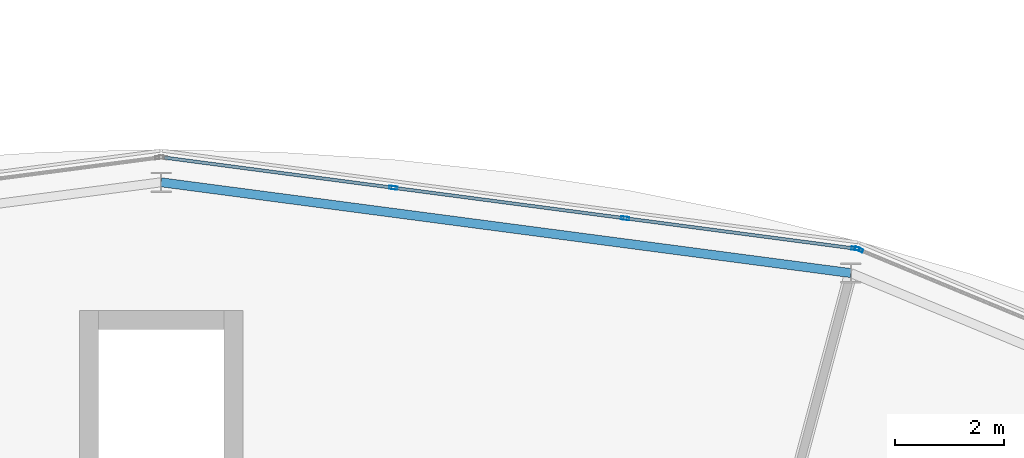
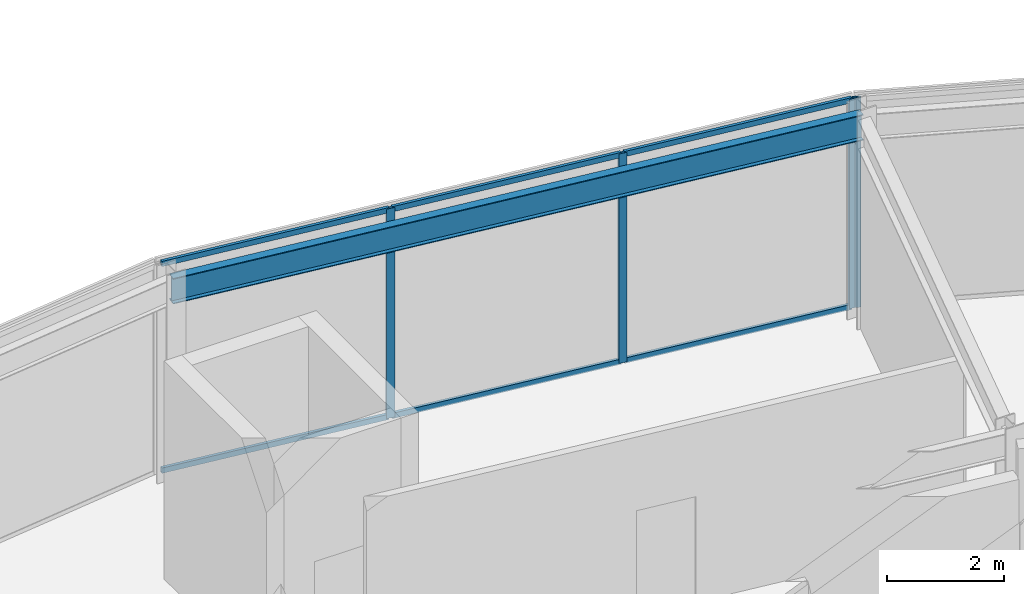
# One storey, part 89 of 157: 10 members, 1 beam, 2 elements without a shape of their own.
"""IFC4 building model written with IfcOpenShell, lengths in metres."""

import ifcopenshell
import ifcopenshell.guid

model = None  # the IFC model being written
_history = None  # IfcOwnerHistory: only IFC2X3 demands one
_inside = {}  # id of a spatial element -> (the spatial element, [elements in it])
_under = {}  # id of a project, library or spatial element -> (it, [spatial elements below it])
_declared = {}  # id of a project -> (the project, [libraries it declares])
_typed = {}  # id of a type object -> (the type object, [elements of that type])
_made_of = {}  # id of a material, layer set ... -> (it, [elements and type objects made of it])


def new_model(schema):
    """Start an empty IFC model of exactly this schema.

    Asked for "IFC4X3", IfcOpenShell would pick the latest addendum, in which some entities
    have other attributes; the version numbers below select the first issue.
    IFC2X3 requires an IfcOwnerHistory on every rooted entity: one is made here for all.
    """
    global model, _history
    if schema == "IFC4X3":
        model = ifcopenshell.file(schema_version=(4, 3, 0, 0))
    else:
        model = ifcopenshell.file(schema=schema)
    _inside.clear()
    _under.clear()
    _declared.clear()
    _typed.clear()
    _made_of.clear()
    _history = None
    if model.schema == "IFC2X3":
        org = make("IfcOrganization", Name="unknown")
        user = make(
            "IfcPersonAndOrganization",
            ThePerson=make("IfcPerson", FamilyName="unknown"),
            TheOrganization=org,
        )
        app = make(
            "IfcApplication",
            ApplicationDeveloper=org,
            Version="unknown",
            ApplicationFullName="unknown",
            ApplicationIdentifier="unknown",
        )
        _history = make(
            "IfcOwnerHistory",
            OwningUser=user,
            OwningApplication=app,
            ChangeAction="ADDED",
            CreationDate=0,
        )
    return model


def make(cls, **values):
    """One entity of the class cls with the attributes given. An attribute that is None is left unset."""
    return model.create_entity(
        cls, **{name: value for name, value in values.items() if value is not None}
    )


def rooted(cls, **values):
    """An entity with a GlobalId (a new one), such as an element, a storey or a relation."""
    return make(cls, GlobalId=ifcopenshell.guid.new(), OwnerHistory=_history, **values)


def si_unit(unit_type, name, prefix=None):
    """IfcSIUnit, for example si_unit("LENGTHUNIT", "METRE", prefix="MILLI")."""
    return make("IfcSIUnit", UnitType=unit_type, Prefix=prefix, Name=name)


def assignment(units):
    """IfcUnitAssignment: the units of a project."""
    return None if units is None else make("IfcUnitAssignment", Units=units)


def point(xyz):
    """IfcCartesianPoint."""
    return None if xyz is None else make("IfcCartesianPoint", Coordinates=xyz)


def direction(xyz):
    """IfcDirection."""
    return None if xyz is None else make("IfcDirection", DirectionRatios=xyz)


def frame(location, z_axis=None, x_axis=None):
    """IfcAxis2Placement3D, a coordinate frame: its origin and axes. An axis left out is left unset."""
    return make(
        "IfcAxis2Placement3D",
        Location=point(location),
        Axis=direction(z_axis),
        RefDirection=direction(x_axis),
    )


def frame_2d(location, x_axis=None):
    """IfcAxis2Placement2D, a coordinate frame in the plane: its origin and x axis."""
    return make(
        "IfcAxis2Placement2D", Location=point(location), RefDirection=direction(x_axis)
    )


def origin():
    """The frame at (0, 0, 0) with its axes left unset."""
    return frame((0.0, 0.0, 0.0))


def origin_2d():
    """The frame at (0, 0) in the plane with its x axis left unset."""
    return frame_2d((0.0, 0.0))


def place(relative_to, where):
    """IfcLocalPlacement: puts the frame where relative to a parent placement (None: the world)."""
    return make(
        "IfcLocalPlacement", PlacementRelTo=relative_to, RelativePlacement=where
    )


def context(
    kind, dimensions, precision=None, world=None, true_north=None, identifier=None
):
    """IfcGeometricRepresentationContext, for example the 3D "Model" context."""
    return make(
        "IfcGeometricRepresentationContext",
        ContextIdentifier=identifier,
        ContextType=kind,
        CoordinateSpaceDimension=dimensions,
        Precision=precision,
        WorldCoordinateSystem=world,
        TrueNorth=true_north,
    )


def subcontext(parent, identifier, kind, view, scale=None):
    """IfcGeometricRepresentationSubContext, for example "Body" below "Model"."""
    return make(
        "IfcGeometricRepresentationSubContext",
        ContextIdentifier=identifier,
        ContextType=kind,
        ParentContext=parent,
        TargetScale=scale,
        TargetView=view,
    )


def project(units=None, contexts=None):
    """IfcProject with its units and contexts."""
    return rooted(
        "IfcProject",
        Name="project",
        RepresentationContexts=contexts,
        UnitsInContext=assignment(units),
    )


def spatial(cls, under=None, at=None, **own):
    """A site, building, storey or space (cls), placed at a placement, below another one or the project."""
    s = rooted(cls, ObjectPlacement=at, **own)
    if under is not None:
        _under.setdefault(under.id(), (under, []))[1].append(s)
    return s


def profile(cls, at=None, kind="AREA", **sizes):
    """A parametric profile (cls). Its sizes go by their IFC names, for example OverallWidth=200.0."""
    return make(cls, ProfileType=kind, Position=at, **sizes)


def hollow_rectangle(**sizes):
    """IfcRectangleHollowProfileDef."""
    return profile("IfcRectangleHollowProfileDef", **sizes)


def i_section(**sizes):
    """IfcIShapeProfileDef."""
    return profile("IfcIShapeProfileDef", **sizes)


def extrude(swept, where, along, depth):
    """IfcExtrudedAreaSolid: the profile swept, set in the frame where, extruded along a direction by depth."""
    return make(
        "IfcExtrudedAreaSolid",
        SweptArea=swept,
        Position=where,
        ExtrudedDirection=direction(along),
        Depth=depth,
    )


def shape(context_of_items, identifier, shape_type, items):
    """IfcShapeRepresentation: the items that make up one representation, for example the "Body"."""
    return make(
        "IfcShapeRepresentation",
        ContextOfItems=context_of_items,
        RepresentationIdentifier=identifier,
        RepresentationType=shape_type,
        Items=items,
    )


def material(Name=None, Category=None):
    """IfcMaterial."""
    return make("IfcMaterial", Name=Name, Category=Category)


def material_profile(
    of_material, cross_section, Name=None, Category=None, Priority=None
):
    """IfcMaterialProfile: a cross section and its material."""
    return make(
        "IfcMaterialProfile",
        Name=Name,
        Material=of_material,
        Profile=cross_section,
        Priority=Priority,
        Category=Category,
    )


def profile_set(profiles, Name=None, composite=None):
    """IfcMaterialProfileSet."""
    return make(
        "IfcMaterialProfileSet",
        Name=Name,
        MaterialProfiles=profiles,
        CompositeProfile=composite,
    )


def made_of(thing, what):
    """Note that an element or type object is made of a material, layer set ...; save() writes the relation."""
    if what is not None:
        _made_of.setdefault(what.id(), (what, []))[1].append(thing)
    return thing


def type_object(cls, material=None, **own):
    """A type object (cls), such as IfcWallType, which elements share."""
    return made_of(rooted(cls, **own), material)


def element(
    cls,
    number,
    at=None,
    inside=None,
    cuts=None,
    type_object=None,
    material=None,
    context=None,
    identifier="Body",
    shape_type=None,
    held_by="IfcProductDefinitionShape",
    body=None,
    shapes=None,
    **own,
):
    """One element of the class cls, such as IfcWall. Its Tag is "e" and its number.

    at: its placement. inside: the storey or other place that contains it. cuts: it is an
    opening in that element (IfcRelVoidsElement). A single representation is given by context,
    identifier, shape_type and body (its items); several are given by shapes. held_by: the class
    of the entity that holds the representations. save() writes the other relations.
    """
    e = rooted(cls, Tag="e%d" % number, ObjectPlacement=at, **own)
    if body is not None:
        shapes = [shape(context, identifier, shape_type, body)]
    if shapes is not None:
        e.Representation = make(held_by, Representations=shapes)
    if inside is not None:
        _inside.setdefault(inside.id(), (inside, []))[1].append(e)
    if cuts is not None:
        rooted(
            "IfcRelVoidsElement", RelatingBuildingElement=cuts, RelatedOpeningElement=e
        )
    if type_object is not None:
        _typed.setdefault(type_object.id(), (type_object, []))[1].append(e)
    return made_of(e, material)


def aggregate(whole, parts):
    """IfcRelAggregates: a whole, such as a stair, and the parts it consists of."""
    return rooted("IfcRelAggregates", RelatingObject=whole, RelatedObjects=parts)


def save(model, path):
    """Write the relations noted so far, then the file.

    IfcRelAggregates (storeys below a building ...), IfcRelContainedInSpatialStructure (elements
    in a storey), IfcRelDefinesByType, IfcRelAssociatesMaterial and IfcRelDeclares: one each for
    every whole, place, type object, material and project.
    """
    for whole, parts in _under.values():
        aggregate(whole, parts)
    for where, things in _inside.values():
        rooted(
            "IfcRelContainedInSpatialStructure",
            RelatedElements=things,
            RelatingStructure=where,
        )
    for kind, things in _typed.values():
        rooted("IfcRelDefinesByType", RelatedObjects=things, RelatingType=kind)
    for what, things in _made_of.values():
        rooted("IfcRelAssociatesMaterial", RelatedObjects=things, RelatingMaterial=what)
    for by, libraries in _declared.values():
        rooted("IfcRelDeclares", RelatingContext=by, RelatedDefinitions=libraries)
    model.write(path)


model = new_model("IFC4")

# Units and contexts
model_context = context("Model", 3, precision=1e-05, world=origin(), true_north=direction((0.0, 1.0)))
body_context = subcontext(model_context, "Body", "Model", "MODEL_VIEW")
ifc_project = project(units=[si_unit("LENGTHUNIT", "METRE"), si_unit("AREAUNIT", "SQUARE_METRE"), si_unit("VOLUMEUNIT", "CUBIC_METRE"), si_unit("PLANEANGLEUNIT", "RADIAN"), si_unit("MASSUNIT", "GRAM", prefix="KILO")], contexts=[model_context])

# Site, building, storey
site_placement = place(None, origin())
site = spatial("IfcSite", under=ifc_project, at=site_placement, CompositionType="ELEMENT")
building_placement = place(site_placement, origin())
building = spatial("IfcBuilding", under=site, at=building_placement, Name="Almandine Court Research Institute", CompositionType="ELEMENT")
storey_placement = place(building_placement, frame((0.0, 0.0, 5.25)))
storey = spatial("IfcBuildingStorey", under=building, at=storey_placement, Name="L01", CompositionType="ELEMENT", Elevation=5.25)

# Beam
ifc_material_1 = material(Name="Steel ASTM A992 Grade 50", Category="steel")
ifc_material_profile_1 = material_profile(ifc_material_1, i_section(OverallWidth=0.166015625, OverallDepth=0.534912109375, WebThickness=0.010009765625, FlangeThickness=0.01708984375, at=origin_2d()), Name="W530x85")
ifc_profile_set_1 = profile_set([ifc_material_profile_1], Name="Steel ASTM A992 Grade 50")
beam_type = type_object("IfcBeamType", Name="Beam-G-05-E", PredefinedType="SPANDREL", material=ifc_profile_set_1)
beam_placement = place(storey_placement, frame((99.656005859375, 103.23388671875, 4.10205078125), z_axis=(-0.991446677504, 0.130512396599, 0.0), x_axis=(-0.130512396599, -0.991446677504, 0.0)))
element("IfcBeam", 1, at=beam_placement, inside=storey, type_object=beam_type, Name="L01 Drum OUT Ring Beam 05", PredefinedType="SPANDREL", context=body_context, shape_type="SweptSolid", body=[
    extrude(i_section(OverallWidth=0.166015625, OverallDepth=0.534912109375, WebThickness=0.010009765625, FlangeThickness=0.01708984375, at=origin_2d()), origin(), (0.0, 0.0, 1.0), 12.76513671875),
])

# Curtain wall, member
ifc_material_2 = material(Name="Unitised Curtain Wall Framing and Solar Glazing", Category="glass")
curtain_wall_type = type_object("IfcCurtainWallType", Name="CW-CWG-20", PredefinedType="USERDEFINED", material=ifc_material_2)
curtain_wall_1_placement = place(storey_placement, origin())
curtain_wall_1 = element("IfcCurtainWall", 2, at=curtain_wall_1_placement, inside=storey, type_object=curtain_wall_type, Name="L01 Stacked-Ring Drum Outer Unitised Glazing 04", ObjectType="UNITISED GLAZING", PredefinedType="USERDEFINED")
ifc_material_3 = material(Name="Anodised Aluminium AW-6063-T6", Category="aluminium")
ifc_material_profile_2 = material_profile(ifc_material_3, hollow_rectangle(XDim=0.06005859375, YDim=0.14990234375, WallThickness=0.00390625, at=origin_2d()), Name="ALU RHS 60x150x4")
ifc_profile_set_2 = profile_set([ifc_material_profile_2], Name="Anodised Aluminium AW-6063-T6")
member_type_1 = type_object("IfcMemberType", Name="CWMul-60x150", PredefinedType="MULLION", material=ifc_profile_set_2)
member_1_placement = place(storey_placement, frame((99.806640625, 103.66552734375, 0.0), z_axis=(0.0, 0.0, 1.0), x_axis=(0.382662689242, 0.923888124321, 0.0)))
member_1 = element("IfcMember", 3, at=member_1_placement, type_object=member_type_1, Name="CWG-20 mullion 1", PredefinedType="MULLION", context=body_context, shape_type="SweptSolid", body=[
    extrude(hollow_rectangle(XDim=0.06005859375, YDim=0.14990234375, WallThickness=0.00390625, at=origin_2d()), origin(), (0.0, 0.0, 1.0), 4.3701171875),
])
aggregate(curtain_wall_1, [member_1])

# Curtain wall, members
curtain_wall_2_placement = place(storey_placement, origin())
curtain_wall_2 = element("IfcCurtainWall", 4, at=curtain_wall_2_placement, inside=storey, type_object=curtain_wall_type, Name="L01 Stacked-Ring Drum Outer Unitised Glazing 05", ObjectType="UNITISED GLAZING", PredefinedType="USERDEFINED")
member_2_placement = place(storey_placement, frame((91.259765625, 104.799560546875, 0.0), z_axis=(0.0, 0.0, 1.0), x_axis=(0.130540891259, 0.991442926098, 0.0)))
member_2 = element("IfcMember", 5, at=member_2_placement, type_object=member_type_1, Name="CWG-20 mullion 2", PredefinedType="MULLION", context=body_context, shape_type="SweptSolid", body=[
    extrude(hollow_rectangle(XDim=0.06005859375, YDim=0.14990234375, WallThickness=0.00390625, at=origin_2d()), origin(), (0.0, 0.0, 1.0), 4.3701171875),
])
member_3_placement = place(storey_placement, frame((95.515380859375, 104.2392578125, 0.0), z_axis=(0.0, 0.0, 1.0), x_axis=(0.130540891259, 0.991442926098, 0.0)))
member_3 = element("IfcMember", 6, at=member_3_placement, type_object=member_type_1, Name="CWG-20 mullion 3", PredefinedType="MULLION", context=body_context, shape_type="SweptSolid", body=[
    extrude(hollow_rectangle(XDim=0.06005859375, YDim=0.14990234375, WallThickness=0.00390625, at=origin_2d()), origin(), (0.0, 0.0, 1.0), 4.3701171875),
])
member_4_placement = place(storey_placement, frame((99.7412109375, 103.682861328125, 0.0), z_axis=(0.0, 0.0, 1.0), x_axis=(0.130540891259, 0.991442926098, 0.0)))
member_4 = element("IfcMember", 7, at=member_4_placement, type_object=member_type_1, Name="CWG-20 mullion 4", PredefinedType="MULLION", context=body_context, shape_type="SweptSolid", body=[
    extrude(hollow_rectangle(XDim=0.06005859375, YDim=0.14990234375, WallThickness=0.00390625, at=origin_2d()), origin(), (0.0, 0.0, 1.0), 4.3701171875),
])
ifc_material_profile_3 = material_profile(ifc_material_3, hollow_rectangle(XDim=0.06005859375, YDim=0.110107421875, WallThickness=0.00390625, at=origin_2d()), Name="ALU RHS 60x110x4")
ifc_profile_set_3 = profile_set([ifc_material_profile_3], Name="Anodised Aluminium AW-6063-T6")
member_type_2 = type_object("IfcMemberType", Name="CWTrn-60x110", PredefinedType="NOTDEFINED", material=ifc_profile_set_3)
member_5_placement = place(storey_placement, frame((87.0634765625, 105.35205078125, 0.030029296875), z_axis=(0.991443218791, -0.130538668266, 0.0), x_axis=(0.130538668266, 0.991443218791, 0.0)))
member_5 = element("IfcMember", 8, at=member_5_placement, type_object=member_type_2, Name="CWG-20 transom 1.1", ObjectType="TRANSOM", PredefinedType="USERDEFINED", context=body_context, shape_type="SweptSolid", body=[
    extrude(hollow_rectangle(XDim=0.06005859375, YDim=0.110107421875, WallThickness=0.00390625, at=origin_2d()), origin(), (0.0, 0.0, 1.0), 4.202392578125),
])
member_6_placement = place(storey_placement, frame((87.0634765625, 105.35205078125, 4.340087890625), z_axis=(0.991443218791, -0.130538668266, 0.0), x_axis=(0.130538668266, 0.991443218791, 0.0)))
member_6 = element("IfcMember", 9, at=member_6_placement, type_object=member_type_2, Name="CWG-20 transom 1.2", ObjectType="TRANSOM", PredefinedType="USERDEFINED", context=body_context, shape_type="SweptSolid", body=[
    extrude(hollow_rectangle(XDim=0.06005859375, YDim=0.110107421875, WallThickness=0.00390625, at=origin_2d()), origin(), (0.0, 0.0, 1.0), 4.202392578125),
])
member_7_placement = place(storey_placement, frame((91.289306640625, 104.795654296875, 0.030029296875), z_axis=(0.991443690345, -0.130535086761, 0.0), x_axis=(0.130535086761, 0.991443690345, 0.0)))
member_7 = element("IfcMember", 10, at=member_7_placement, type_object=member_type_2, Name="CWG-20 transom 2.1", ObjectType="TRANSOM", PredefinedType="USERDEFINED", context=body_context, shape_type="SweptSolid", body=[
    extrude(hollow_rectangle(XDim=0.06005859375, YDim=0.110107421875, WallThickness=0.00390625, at=origin_2d()), origin(), (0.0, 0.0, 1.0), 4.232421875),
])
member_8_placement = place(storey_placement, frame((91.289306640625, 104.795654296875, 4.340087890625), z_axis=(0.991443690345, -0.130535086761, 0.0), x_axis=(0.130535086761, 0.991443690345, 0.0)))
member_8 = element("IfcMember", 11, at=member_8_placement, type_object=member_type_2, Name="CWG-20 transom 2.2", ObjectType="TRANSOM", PredefinedType="USERDEFINED", context=body_context, shape_type="SweptSolid", body=[
    extrude(hollow_rectangle(XDim=0.06005859375, YDim=0.110107421875, WallThickness=0.00390625, at=origin_2d()), origin(), (0.0, 0.0, 1.0), 4.232421875),
])
member_9_placement = place(storey_placement, frame((95.545166015625, 104.2353515625, 0.030029296875), z_axis=(0.991442228753, -0.130546187402, 0.0), x_axis=(0.130546187402, 0.991442228753, 0.0)))
member_9 = element("IfcMember", 12, at=member_9_placement, type_object=member_type_2, Name="CWG-20 transom 3.1", ObjectType="TRANSOM", PredefinedType="USERDEFINED", context=body_context, shape_type="SweptSolid", body=[
    extrude(hollow_rectangle(XDim=0.06005859375, YDim=0.110107421875, WallThickness=0.00390625, at=origin_2d()), origin(), (0.0, 0.0, 1.0), 4.2021484375),
])
member_10_placement = place(storey_placement, frame((95.545166015625, 104.2353515625, 4.340087890625), z_axis=(0.991442228753, -0.130546187402, 0.0), x_axis=(0.130546187402, 0.991442228753, 0.0)))
member_10 = element("IfcMember", 13, at=member_10_placement, type_object=member_type_2, Name="CWG-20 transom 3.2", ObjectType="TRANSOM", PredefinedType="USERDEFINED", context=body_context, shape_type="SweptSolid", body=[
    extrude(hollow_rectangle(XDim=0.06005859375, YDim=0.110107421875, WallThickness=0.00390625, at=origin_2d()), origin(), (0.0, 0.0, 1.0), 4.2021484375),
])
aggregate(curtain_wall_2, [member_2, member_3, member_4, member_5, member_6, member_7, member_8, member_9, member_10])

save(model, "model.ifc")
